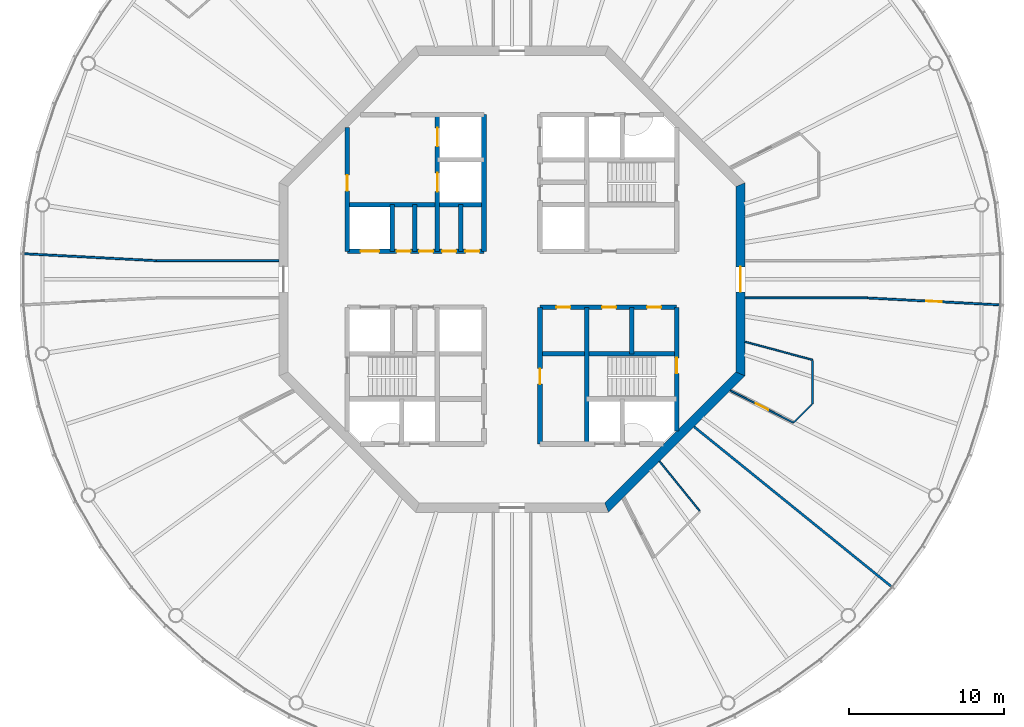
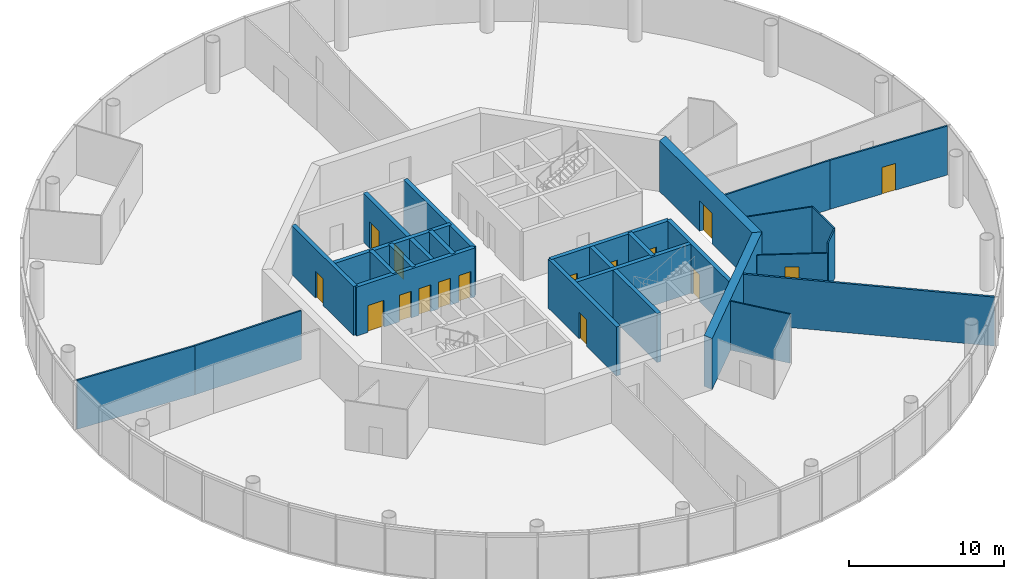
# One storey, part 4 of 13: 26 walls, 16 doors, 16 openings.
"""IFC4 building model written with IfcOpenShell, lengths in metres."""

from ifc_helpers import new_model, si_unit, direction, frame, frame_2d, origin, place, context, subcontext, project, spatial, polyline, rectangle, outline, extrude, material, layer, layer_set, type_object, element, fill, save


model = new_model("IFC4")

# Units and contexts
model_context = context("Model", 3, precision=1e-05, world=origin(), true_north=direction((0.0, 1.0)))
body_context = subcontext(model_context, "Body", "Model", "MODEL_VIEW")
ifc_project = project(units=[si_unit("LENGTHUNIT", "METRE"), si_unit("AREAUNIT", "SQUARE_METRE"), si_unit("VOLUMEUNIT", "CUBIC_METRE"), si_unit("PLANEANGLEUNIT", "RADIAN"), si_unit("MASSUNIT", "GRAM", prefix="KILO")], contexts=[model_context])

# Site, building, storey
site_placement = place(None, origin())
site = spatial("IfcSite", under=ifc_project, at=site_placement, CompositionType="ELEMENT")
building_placement = place(site_placement, origin())
building = spatial("IfcBuilding", under=site, at=building_placement, Name="Entoto Ring Tower", CompositionType="ELEMENT")
storey_placement = place(building_placement, frame((0.0, 0.0, 348.0)))
storey = spatial("IfcBuildingStorey", under=building, at=storey_placement, Name="L80", CompositionType="ELEMENT", Elevation=348.0)

# Wall, opening, door
ifc_material_1 = material(Name="Concrete C40/50", Category="concrete")
ifc_layer_1 = layer(ifc_material_1, 0.300048828125)
ifc_layer_set_1 = layer_set([ifc_layer_1], Name="Concrete C40/50")
wall_type_1 = type_object("IfcWallType", Name="Core enclosure wall 300 mm reinforced concrete", PredefinedType="SOLIDWALL", material=ifc_layer_set_1)
wall_1_placement = place(storey_placement, frame((100.60009765625, 70.2353515625, 0.0), z_axis=(0.0, 0.0, 1.0), x_axis=(0.0, 1.0, 0.0)))
wall_1 = element("IfcWall", 1, at=wall_1_placement, inside=storey, type_object=wall_type_1, Name="wall-L80-001", PredefinedType="SOLIDWALL", context=body_context, shape_type="SweptSolid", body=[
    extrude(rectangle(XDim=7.964599609375, YDim=0.300048828125, at=frame_2d((3.982421875, 0.0))), origin(), (0.0, 0.0, 1.0), 3.85009765625),
])
opening_1_placement = place(wall_1_placement, frame((3.714599609375, 0.0, 0.0)))
opening_1 = element("IfcOpeningElement", 2, at=opening_1_placement, cuts=wall_1, Name="Opening K-28", PredefinedType="OPENING", context=body_context, shape_type="SweptSolid", body=[
    extrude(rectangle(XDim=1.0, YDim=2.10009765625, at=frame_2d((0.5, 1.050048828125))), frame((0.0, 0.16015625, 0.0), z_axis=(0.0, -1.0, 0.0), x_axis=(1.0, 0.0, 0.0)), (0.0, 0.0, 1.0), 0.320068359375),
])
ifc_material_2 = material(Name="Steel door leaf, fire rated", Category="steel")
ifc_layer_2 = layer(ifc_material_2, 0.050048828125)
ifc_layer_set_2 = layer_set([ifc_layer_2], Name="Steel door leaf, fire rated")
door_type_1 = type_object("IfcDoorType", Name="Fire door FD60 1000 x 2100 single leaf", OperationType="NOTDEFINED", PredefinedType="DOOR", material=ifc_layer_set_2)
door_1_placement = place(opening_1_placement, origin())
door_1 = element("IfcDoor", 3, at=door_1_placement, inside=storey, type_object=door_type_1, Name="Door K-28", OperationType="SINGLE_SWING_RIGHT", OverallHeight=2.10009765625, OverallWidth=1.0, PredefinedType="DOOR", context=body_context, shape_type="SweptSolid", body=[
    extrude(rectangle(XDim=1.0, YDim=2.10009765625, at=frame_2d((0.5, 1.050048828125))), frame((0.0, 0.02490234375, 0.0), z_axis=(0.0, -1.0, 0.0), x_axis=(1.0, 0.0, 0.0)), (0.0, 0.0, 1.0), 0.050048828125),
])
fill(opening_1, door_1)

# Walls
wall_2_placement = place(storey_placement, frame((97.699951171875, 75.199951171875, 0.0), z_axis=(0.0, 0.0, 1.0), x_axis=(0.0, 1.0, 0.0)))
element("IfcWall", 4, at=wall_2_placement, inside=storey, type_object=wall_type_1, Name="wall-L80-003", PredefinedType="SOLIDWALL", context=body_context, shape_type="SweptSolid", body=[
    extrude(rectangle(XDim=3.0, YDim=0.300048828125, at=frame_2d((1.5, 0.0))), origin(), (0.0, 0.0, 1.0), 3.85009765625),
])
wall_3_placement = place(storey_placement, frame((94.800048828125, 69.39990234375, 0.0), z_axis=(0.0, 0.0, 1.0), x_axis=(0.0, 1.0, 0.0)))
element("IfcWall", 5, at=wall_3_placement, inside=storey, type_object=wall_type_1, Name="wall-L80-006", PredefinedType="SOLIDWALL", context=body_context, shape_type="SweptSolid", body=[
    extrude(rectangle(XDim=8.800048828125, YDim=0.300048828125, at=frame_2d((4.39990234375, 0.0))), origin(), (0.0, 0.0, 1.0), 3.85009765625),
])

# Wall, opening, door
wall_4_placement = place(storey_placement, frame((91.800048828125, 69.39990234375, 0.0), z_axis=(0.0, 0.0, 1.0), x_axis=(0.0, 1.0, 0.0)))
wall_4 = element("IfcWall", 6, at=wall_4_placement, inside=storey, type_object=wall_type_1, Name="wall-L80-008", PredefinedType="SOLIDWALL", context=body_context, shape_type="SweptSolid", body=[
    extrude(rectangle(XDim=8.800048828125, YDim=0.300048828125, at=frame_2d((4.39990234375, 0.0))), origin(), (0.0, 0.0, 1.0), 3.85009765625),
])
opening_2_placement = place(wall_4_placement, frame((3.85009765625, 0.0, 0.0)))
opening_2 = element("IfcOpeningElement", 7, at=opening_2_placement, cuts=wall_4, Name="Opening K-64", PredefinedType="OPENING", context=body_context, shape_type="SweptSolid", body=[
    extrude(rectangle(XDim=1.0, YDim=2.10009765625, at=frame_2d((0.5, 1.050048828125))), frame((0.0, 0.16015625, 0.0), z_axis=(0.0, -1.0, 0.0), x_axis=(1.0, 0.0, 0.0)), (0.0, 0.0, 1.0), 0.320068359375),
])
ifc_material_3 = material(Name="Steel door leaf, fire rated", Category="steel")
ifc_layer_3 = layer(ifc_material_3, 0.050048828125)
ifc_layer_set_3 = layer_set([ifc_layer_3], Name="Steel door leaf, fire rated")
door_type_2 = type_object("IfcDoorType", Name="Accessible door 1000 x 2100 single leaf", OperationType="NOTDEFINED", PredefinedType="DOOR", material=ifc_layer_set_3)
door_2_placement = place(opening_2_placement, frame((1.0, 0.0, 0.0), z_axis=(0.0, 0.0, 1.0), x_axis=(-1.0, 0.0, 0.0)))
door_2 = element("IfcDoor", 8, at=door_2_placement, inside=storey, type_object=door_type_2, Name="Door K-64", OperationType="SINGLE_SWING_LEFT", OverallHeight=2.10009765625, OverallWidth=1.0, PredefinedType="DOOR", context=body_context, shape_type="SweptSolid", body=[
    extrude(rectangle(XDim=1.0, YDim=2.10009765625, at=frame_2d((0.5, 1.050048828125))), frame((0.0, 0.02490234375, 0.0), z_axis=(0.0, -1.0, 0.0), x_axis=(1.0, 0.0, 0.0)), (0.0, 0.0, 1.0), 0.050048828125),
])
fill(opening_2, door_2)

# Walls
wall_5_placement = place(storey_placement, frame((88.199951171875, 81.800048828125, 0.0), z_axis=(0.0, 0.0, 1.0), x_axis=(0.0, 1.0, 0.0)))
element("IfcWall", 9, at=wall_5_placement, inside=storey, type_object=wall_type_1, Name="wall-L80-011", PredefinedType="SOLIDWALL", context=body_context, shape_type="SweptSolid", body=[
    extrude(rectangle(XDim=8.800048828125, YDim=0.300048828125, at=frame_2d((4.39990234375, 0.0))), origin(), (0.0, 0.0, 1.0), 3.85009765625),
])
wall_6_placement = place(storey_placement, frame((86.699951171875, 81.800048828125, 0.0), z_axis=(0.0, 0.0, 1.0), x_axis=(0.0, 1.0, 0.0)))
element("IfcWall", 10, at=wall_6_placement, inside=storey, type_object=wall_type_1, Name="wall-L80-012", PredefinedType="SOLIDWALL", context=body_context, shape_type="SweptSolid", body=[
    extrude(rectangle(XDim=3.0, YDim=0.300048828125, at=frame_2d((1.5, 0.0))), origin(), (0.0, 0.0, 1.0), 3.85009765625),
])

# Wall, openings, doors
wall_7_placement = place(storey_placement, frame((85.199951171875, 81.800048828125, 0.0), z_axis=(0.0, 0.0, 1.0), x_axis=(0.0, 1.0, 0.0)))
wall_7 = element("IfcWall", 11, at=wall_7_placement, inside=storey, type_object=wall_type_1, Name="wall-L80-014", PredefinedType="SOLIDWALL", context=body_context, shape_type="SweptSolid", body=[
    extrude(rectangle(XDim=8.800048828125, YDim=0.300048828125, at=frame_2d((4.39990234375, 0.0))), origin(), (0.0, 0.0, 1.0), 3.85009765625),
])
opening_3_placement = place(wall_7_placement, frame((3.85009765625, 0.0, 0.0)))
opening_3 = element("IfcOpeningElement", 12, at=opening_3_placement, cuts=wall_7, Name="Opening LD", PredefinedType="OPENING", context=body_context, shape_type="SweptSolid", body=[
    extrude(rectangle(XDim=1.199951171875, YDim=2.10009765625, at=frame_2d((0.60009765625, 1.050048828125))), frame((0.0, 0.16015625, 0.0), z_axis=(0.0, -1.0, 0.0), x_axis=(1.0, 0.0, 0.0)), (0.0, 0.0, 1.0), 0.320068359375),
])
opening_4_placement = place(wall_7_placement, frame((6.75, 0.0, 0.0)))
opening_4 = element("IfcOpeningElement", 13, at=opening_4_placement, cuts=wall_7, Name="Opening LD", PredefinedType="OPENING", context=body_context, shape_type="SweptSolid", body=[
    extrude(rectangle(XDim=1.199951171875, YDim=2.10009765625, at=frame_2d((0.60009765625, 1.050048828125))), frame((0.0, 0.16015625, 0.0), z_axis=(0.0, -1.0, 0.0), x_axis=(1.0, 0.0, 0.0)), (0.0, 0.0, 1.0), 0.320068359375),
])
ifc_material_4 = material(Name="Steel and glass door leaf", Category="steel")
ifc_layer_4 = layer(ifc_material_4, 0.050048828125)
ifc_layer_set_4 = layer_set([ifc_layer_4], Name="Steel and glass door leaf")
door_type_3 = type_object("IfcDoorType", Name="Landing door 1200 x 2100 sliding", OperationType="DOUBLE_DOOR_SLIDING", PredefinedType="DOOR", material=ifc_layer_set_4)
door_3_placement = place(opening_3_placement, origin())
door_3 = element("IfcDoor", 14, at=door_3_placement, inside=storey, type_object=door_type_3, Name="Landing door FF1", OperationType="SLIDING_TO_RIGHT", OverallHeight=2.10009765625, OverallWidth=1.199951171875, PredefinedType="DOOR", context=body_context, shape_type="SweptSolid", body=[
    extrude(rectangle(XDim=1.199951171875, YDim=2.10009765625, at=frame_2d((0.60009765625, 1.050048828125))), frame((0.0, 0.02490234375, 0.0), z_axis=(0.0, -1.0, 0.0), x_axis=(1.0, 0.0, 0.0)), (0.0, 0.0, 1.0), 0.050048828125),
])
fill(opening_3, door_3)
door_4_placement = place(opening_4_placement, origin())
door_4 = element("IfcDoor", 15, at=door_4_placement, inside=storey, type_object=door_type_3, Name="Landing door FF2", OperationType="SLIDING_TO_RIGHT", OverallHeight=2.10009765625, OverallWidth=1.199951171875, PredefinedType="DOOR", context=body_context, shape_type="SweptSolid", body=[
    extrude(rectangle(XDim=1.199951171875, YDim=2.10009765625, at=frame_2d((0.60009765625, 1.050048828125))), frame((0.0, 0.02490234375, 0.0), z_axis=(0.0, -1.0, 0.0), x_axis=(1.0, 0.0, 0.0)), (0.0, 0.0, 1.0), 0.050048828125),
])
fill(opening_4, door_4)

# Walls
for number, where, z_axis, x_axis, name in (
    (16, (83.75, 81.800048828125, 0.0), (0.0, 0.0, 1.0), (0.0, 1.0, 0.0), "wall-L80-016"),
    (17, (82.300048828125, 81.800048828125, 0.0), (0.0, 0.0, 1.0), (0.0, 1.0, 0.0), "wall-L80-019"),
):
    element("IfcWall", number, at=place(storey_placement, frame(where, z_axis=z_axis, x_axis=x_axis)), inside=storey, type_object=wall_type_1, Name=name, PredefinedType="SOLIDWALL", context=body_context, shape_type="SweptSolid", body=[
        extrude(rectangle(XDim=3.0, YDim=0.300048828125, at=frame_2d((1.5, 0.0))), origin(), (0.0, 0.0, 1.0), 3.85009765625),
    ])

# Wall, opening, door
wall_8_placement = place(storey_placement, frame((79.39990234375, 81.800048828125, 0.0), z_axis=(0.0, 0.0, 1.0), x_axis=(0.0, 1.0, 0.0)))
wall_8 = element("IfcWall", 18, at=wall_8_placement, inside=storey, type_object=wall_type_1, Name="wall-L80-021", PredefinedType="SOLIDWALL", context=body_context, shape_type="SweptSolid", body=[
    extrude(rectangle(XDim=7.964599609375, YDim=0.300048828125, at=frame_2d((3.982421875, 0.0))), origin(), (0.0, 0.0, 1.0), 3.85009765625),
])
opening_5_placement = place(wall_8_placement, frame((3.89990234375, 0.0, 0.0)))
opening_5 = element("IfcOpeningElement", 19, at=opening_5_placement, cuts=wall_8, Name="Opening K-86", PredefinedType="OPENING", context=body_context, shape_type="SweptSolid", body=[
    extrude(rectangle(XDim=1.0, YDim=2.10009765625, at=frame_2d((0.5, 1.050048828125))), frame((0.0, 0.16015625, 0.0), z_axis=(0.0, -1.0, 0.0), x_axis=(1.0, 0.0, 0.0)), (0.0, 0.0, 1.0), 0.320068359375),
])
door_5_placement = place(opening_5_placement, frame((1.0, 0.0, 0.0), z_axis=(0.0, 0.0, 1.0), x_axis=(-1.0, 0.0, 0.0)))
door_5 = element("IfcDoor", 20, at=door_5_placement, inside=storey, type_object=door_type_1, Name="Door K-86", OperationType="SINGLE_SWING_RIGHT", OverallHeight=2.10009765625, OverallWidth=1.0, PredefinedType="DOOR", context=body_context, shape_type="SweptSolid", body=[
    extrude(rectangle(XDim=1.0, YDim=2.10009765625, at=frame_2d((0.5, 1.050048828125))), frame((0.0, 0.02490234375, 0.0), z_axis=(0.0, -1.0, 0.0), x_axis=(1.0, 0.0, 0.0)), (0.0, 0.0, 1.0), 0.050048828125),
])
fill(opening_5, door_5)

# Wall
wall_9_placement = place(storey_placement, frame((91.800048828125, 75.199951171875, 0.0), z_axis=(0.0, 0.0, 1.0), x_axis=(1.0, 0.0, 0.0)))
element("IfcWall", 21, at=wall_9_placement, inside=storey, type_object=wall_type_1, Name="wall-L80-027", PredefinedType="SOLIDWALL", context=body_context, shape_type="SweptSolid", body=[
    extrude(rectangle(XDim=8.800048828125, YDim=0.300048828125, at=frame_2d((4.39990234375, 0.0))), origin(), (0.0, 0.0, 1.0), 3.85009765625),
])

# Wall, openings, doors
wall_10_placement = place(storey_placement, frame((91.800048828125, 78.199951171875, 0.0), z_axis=(0.0, 0.0, 1.0), x_axis=(1.0, 0.0, 0.0)))
wall_10 = element("IfcWall", 22, at=wall_10_placement, inside=storey, type_object=wall_type_1, Name="wall-L80-029", PredefinedType="SOLIDWALL", context=body_context, shape_type="SweptSolid", body=[
    extrude(rectangle(XDim=8.800048828125, YDim=0.300048828125, at=frame_2d((4.39990234375, 0.0))), origin(), (0.0, 0.0, 1.0), 3.85009765625),
])
opening_6_placement = place(wall_10_placement, frame((4.0, 0.0, 0.0)))
opening_6 = element("IfcOpeningElement", 23, at=opening_6_placement, cuts=wall_10, Name="Opening K-14", PredefinedType="OPENING", context=body_context, shape_type="SweptSolid", body=[
    extrude(rectangle(XDim=0.89990234375, YDim=2.10009765625, at=frame_2d((0.449951171875, 1.050048828125))), frame((0.0, 0.16015625, 0.0), z_axis=(0.0, -1.0, 0.0), x_axis=(1.0, 0.0, 0.0)), (0.0, 0.0, 1.0), 0.320068359375),
])
opening_7_placement = place(wall_10_placement, frame((6.89990234375, 0.0, 0.0)))
opening_7 = element("IfcOpeningElement", 24, at=opening_7_placement, cuts=wall_10, Name="Opening K-15", PredefinedType="OPENING", context=body_context, shape_type="SweptSolid", body=[
    extrude(rectangle(XDim=0.89990234375, YDim=2.10009765625, at=frame_2d((0.449951171875, 1.050048828125))), frame((0.0, 0.16015625, 0.0), z_axis=(0.0, -1.0, 0.0), x_axis=(1.0, 0.0, 0.0)), (0.0, 0.0, 1.0), 0.320068359375),
])
opening_8_placement = place(wall_10_placement, frame((1.050048828125, 0.0, 0.0)))
opening_8 = element("IfcOpeningElement", 25, at=opening_8_placement, cuts=wall_10, Name="Opening K-25", PredefinedType="OPENING", context=body_context, shape_type="SweptSolid", body=[
    extrude(rectangle(XDim=0.89990234375, YDim=2.10009765625, at=frame_2d((0.449951171875, 1.050048828125))), frame((0.0, 0.16015625, 0.0), z_axis=(0.0, -1.0, 0.0), x_axis=(1.0, 0.0, 0.0)), (0.0, 0.0, 1.0), 0.320068359375),
])
ifc_material_5 = material(Name="Steel door leaf, fire rated", Category="steel")
ifc_layer_5 = layer(ifc_material_5, 0.050048828125)
ifc_layer_set_5 = layer_set([ifc_layer_5], Name="Steel door leaf, fire rated")
door_type_4 = type_object("IfcDoorType", Name="Core door 900 x 2100 single leaf", OperationType="NOTDEFINED", PredefinedType="DOOR", material=ifc_layer_set_5)
door_6_placement = place(opening_6_placement, frame((0.89990234375, 0.0, 0.0), z_axis=(0.0, 0.0, 1.0), x_axis=(-1.0, 0.0, 0.0)))
door_6 = element("IfcDoor", 26, at=door_6_placement, inside=storey, type_object=door_type_4, Name="Door K-14", OperationType="SINGLE_SWING_RIGHT", OverallHeight=2.10009765625, OverallWidth=0.89990234375, PredefinedType="DOOR", context=body_context, shape_type="SweptSolid", body=[
    extrude(rectangle(XDim=0.89990234375, YDim=2.10009765625, at=frame_2d((0.449951171875, 1.050048828125))), frame((0.0, 0.02490234375, 0.0), z_axis=(0.0, -1.0, 0.0), x_axis=(1.0, 0.0, 0.0)), (0.0, 0.0, 1.0), 0.050048828125),
])
fill(opening_6, door_6)
door_7_placement = place(opening_7_placement, frame((0.89990234375, 0.0, 0.0), z_axis=(0.0, 0.0, 1.0), x_axis=(-1.0, 0.0, 0.0)))
door_7 = element("IfcDoor", 27, at=door_7_placement, inside=storey, type_object=door_type_4, Name="Door K-15", OperationType="SINGLE_SWING_LEFT", OverallHeight=2.10009765625, OverallWidth=0.89990234375, PredefinedType="DOOR", context=body_context, shape_type="SweptSolid", body=[
    extrude(rectangle(XDim=0.89990234375, YDim=2.10009765625, at=frame_2d((0.449951171875, 1.050048828125))), frame((0.0, 0.02490234375, 0.0), z_axis=(0.0, -1.0, 0.0), x_axis=(1.0, 0.0, 0.0)), (0.0, 0.0, 1.0), 0.050048828125),
])
fill(opening_7, door_7)
door_8_placement = place(opening_8_placement, frame((0.89990234375, 0.0, 0.0), z_axis=(0.0, 0.0, 1.0), x_axis=(-1.0, 0.0, 0.0)))
door_8 = element("IfcDoor", 28, at=door_8_placement, inside=storey, type_object=door_type_4, Name="Door K-25", OperationType="SINGLE_SWING_RIGHT", OverallHeight=2.10009765625, OverallWidth=0.89990234375, PredefinedType="DOOR", context=body_context, shape_type="SweptSolid", body=[
    extrude(rectangle(XDim=0.89990234375, YDim=2.10009765625, at=frame_2d((0.449951171875, 1.050048828125))), frame((0.0, 0.02490234375, 0.0), z_axis=(0.0, -1.0, 0.0), x_axis=(1.0, 0.0, 0.0)), (0.0, 0.0, 1.0), 0.050048828125),
])
fill(opening_8, door_8)

wall_11_placement = place(storey_placement, frame((79.39990234375, 81.800048828125, 0.0), z_axis=(0.0, 0.0, 1.0), x_axis=(1.0, 0.0, 0.0)))
wall_11 = element("IfcWall", 29, at=wall_11_placement, inside=storey, type_object=wall_type_1, Name="wall-L80-030", PredefinedType="SOLIDWALL", context=body_context, shape_type="SweptSolid", body=[
    extrude(rectangle(XDim=8.800048828125, YDim=0.300048828125, at=frame_2d((4.39990234375, 0.0))), origin(), (0.0, 0.0, 1.0), 3.85009765625),
])
opening_9_placement = place(wall_11_placement, frame((0.85009765625, 0.0, 0.0)))
opening_9 = element("IfcOpeningElement", 30, at=opening_9_placement, cuts=wall_11, Name="Opening LD", PredefinedType="OPENING", context=body_context, shape_type="SweptSolid", body=[
    extrude(rectangle(XDim=1.199951171875, YDim=2.10009765625, at=frame_2d((0.60009765625, 1.050048828125))), frame((0.0, 0.16015625, 0.0), z_axis=(0.0, -1.0, 0.0), x_axis=(1.0, 0.0, 0.0)), (0.0, 0.0, 1.0), 0.320068359375),
])
opening_10_placement = place(wall_11_placement, frame((3.175048828125, 0.0, 0.0)))
opening_10 = element("IfcOpeningElement", 31, at=opening_10_placement, cuts=wall_11, Name="Opening K-12", PredefinedType="OPENING", context=body_context, shape_type="SweptSolid", body=[
    extrude(rectangle(XDim=0.89990234375, YDim=2.10009765625, at=frame_2d((0.449951171875, 1.050048828125))), frame((0.0, 0.16015625, 0.0), z_axis=(0.0, -1.0, 0.0), x_axis=(1.0, 0.0, 0.0)), (0.0, 0.0, 1.0), 0.320068359375),
])
opening_11_placement = place(wall_11_placement, frame((4.625, 0.0, 0.0)))
opening_11 = element("IfcOpeningElement", 32, at=opening_11_placement, cuts=wall_11, Name="Opening K-46", PredefinedType="OPENING", context=body_context, shape_type="SweptSolid", body=[
    extrude(rectangle(XDim=0.89990234375, YDim=2.10009765625, at=frame_2d((0.449951171875, 1.050048828125))), frame((0.0, 0.16015625, 0.0), z_axis=(0.0, -1.0, 0.0), x_axis=(1.0, 0.0, 0.0)), (0.0, 0.0, 1.0), 0.320068359375),
])
opening_12_placement = place(wall_11_placement, frame((6.10009765625, 0.0, 0.0)))
opening_12 = element("IfcOpeningElement", 33, at=opening_12_placement, cuts=wall_11, Name="Opening K-71", PredefinedType="OPENING", context=body_context, shape_type="SweptSolid", body=[
    extrude(rectangle(XDim=0.89990234375, YDim=2.10009765625, at=frame_2d((0.449951171875, 1.050048828125))), frame((0.0, 0.16015625, 0.0), z_axis=(0.0, -1.0, 0.0), x_axis=(1.0, 0.0, 0.0)), (0.0, 0.0, 1.0), 0.320068359375),
])
opening_13_placement = place(wall_11_placement, frame((7.60009765625, 0.0, 0.0)))
opening_13 = element("IfcOpeningElement", 34, at=opening_13_placement, cuts=wall_11, Name="Opening K-24", PredefinedType="OPENING", context=body_context, shape_type="SweptSolid", body=[
    extrude(rectangle(XDim=0.89990234375, YDim=2.10009765625, at=frame_2d((0.449951171875, 1.050048828125))), frame((0.0, 0.16015625, 0.0), z_axis=(0.0, -1.0, 0.0), x_axis=(1.0, 0.0, 0.0)), (0.0, 0.0, 1.0), 0.320068359375),
])
door_9_placement = place(opening_10_placement, origin())
door_9 = element("IfcDoor", 35, at=door_9_placement, inside=storey, type_object=door_type_4, Name="Door K-12", OperationType="SINGLE_SWING_RIGHT", OverallHeight=2.10009765625, OverallWidth=0.89990234375, PredefinedType="DOOR", context=body_context, shape_type="SweptSolid", body=[
    extrude(rectangle(XDim=0.89990234375, YDim=2.10009765625, at=frame_2d((0.449951171875, 1.050048828125))), frame((0.0, 0.02490234375, 0.0), z_axis=(0.0, -1.0, 0.0), x_axis=(1.0, 0.0, 0.0)), (0.0, 0.0, 1.0), 0.050048828125),
])
fill(opening_10, door_9)
door_10_placement = place(opening_11_placement, origin())
door_10 = element("IfcDoor", 36, at=door_10_placement, inside=storey, type_object=door_type_4, Name="Door K-46", OperationType="SINGLE_SWING_RIGHT", OverallHeight=2.10009765625, OverallWidth=0.89990234375, PredefinedType="DOOR", context=body_context, shape_type="SweptSolid", body=[
    extrude(rectangle(XDim=0.89990234375, YDim=2.10009765625, at=frame_2d((0.449951171875, 1.050048828125))), frame((0.0, 0.02490234375, 0.0), z_axis=(0.0, -1.0, 0.0), x_axis=(1.0, 0.0, 0.0)), (0.0, 0.0, 1.0), 0.050048828125),
])
fill(opening_11, door_10)
door_11_placement = place(opening_12_placement, origin())
door_11 = element("IfcDoor", 37, at=door_11_placement, inside=storey, type_object=door_type_4, Name="Door K-71", OperationType="SINGLE_SWING_LEFT", OverallHeight=2.10009765625, OverallWidth=0.89990234375, PredefinedType="DOOR", context=body_context, shape_type="SweptSolid", body=[
    extrude(rectangle(XDim=0.89990234375, YDim=2.10009765625, at=frame_2d((0.449951171875, 1.050048828125))), frame((0.0, 0.02490234375, 0.0), z_axis=(0.0, -1.0, 0.0), x_axis=(1.0, 0.0, 0.0)), (0.0, 0.0, 1.0), 0.050048828125),
])
fill(opening_12, door_11)
door_12_placement = place(opening_13_placement, origin())
door_12 = element("IfcDoor", 38, at=door_12_placement, inside=storey, type_object=door_type_4, Name="Door K-24", OperationType="SINGLE_SWING_LEFT", OverallHeight=2.10009765625, OverallWidth=0.89990234375, PredefinedType="DOOR", context=body_context, shape_type="SweptSolid", body=[
    extrude(rectangle(XDim=0.89990234375, YDim=2.10009765625, at=frame_2d((0.449951171875, 1.050048828125))), frame((0.0, 0.02490234375, 0.0), z_axis=(0.0, -1.0, 0.0), x_axis=(1.0, 0.0, 0.0)), (0.0, 0.0, 1.0), 0.050048828125),
])
fill(opening_13, door_12)
door_13_placement = place(opening_9_placement, origin())
door_13 = element("IfcDoor", 39, at=door_13_placement, inside=storey, type_object=door_type_3, Name="Landing door SH1", OperationType="SLIDING_TO_RIGHT", OverallHeight=2.10009765625, OverallWidth=1.199951171875, PredefinedType="DOOR", context=body_context, shape_type="SweptSolid", body=[
    extrude(rectangle(XDim=1.199951171875, YDim=2.10009765625, at=frame_2d((0.60009765625, 1.050048828125))), frame((0.0, 0.02490234375, 0.0), z_axis=(0.0, -1.0, 0.0), x_axis=(1.0, 0.0, 0.0)), (0.0, 0.0, 1.0), 0.050048828125),
])
fill(opening_9, door_13)

# Wall
wall_12_placement = place(storey_placement, frame((79.39990234375, 84.800048828125, 0.0), z_axis=(0.0, 0.0, 1.0), x_axis=(1.0, 0.0, 0.0)))
element("IfcWall", 40, at=wall_12_placement, inside=storey, type_object=wall_type_1, Name="wall-L80-032", PredefinedType="SOLIDWALL", context=body_context, shape_type="SweptSolid", body=[
    extrude(rectangle(XDim=8.800048828125, YDim=0.300048828125, at=frame_2d((4.39990234375, 0.0))), origin(), (0.0, 0.0, 1.0), 3.85009765625),
])

# Wall, opening, door
ifc_material_6 = material(Name="Concrete C40/50", Category="concrete")
ifc_layer_6 = layer(ifc_material_6, 0.60009765625)
ifc_layer_set_6 = layer_set([ifc_layer_6], Name="Concrete C40/50")
wall_type_2 = type_object("IfcWallType", Name="Core shear wall 600 mm reinforced concrete C40/50", PredefinedType="SHEAR", material=ifc_layer_set_6)
wall_13_placement = place(storey_placement, frame((104.699951171875, 73.9111328125, 0.0), z_axis=(0.0, 0.0, 1.0), x_axis=(0.0, 1.0, 0.0)))
wall_13 = element("IfcWall", 41, at=wall_13_placement, inside=storey, type_object=wall_type_2, Name="wall-L80-core-0", PredefinedType="SHEAR", context=body_context, shape_type="SweptSolid", body=[
    extrude(outline(polyline([(-0.124267578125, -0.300048828125), (12.302001953125, -0.300048828125), (12.053466796875, 0.300048828125), (0.124267578125, 0.300048828125), (-0.124267578125, -0.300048828125)])), origin(), (0.0, 0.0, 1.0), 4.0),
])
opening_14_placement = place(wall_13_placement, frame((5.288818359375, 0.0, 0.0)))
opening_14 = element("IfcOpeningElement", 42, at=opening_14_placement, cuts=wall_13, Name="Opening K-01", PredefinedType="OPENING", context=body_context, shape_type="SweptSolid", body=[
    extrude(rectangle(XDim=1.60009765625, YDim=2.39990234375, at=frame_2d((0.800048828125, 1.199951171875))), frame((0.0, 0.31005859375, 0.0), z_axis=(0.0, -1.0, 0.0), x_axis=(1.0, 0.0, 0.0)), (0.0, 0.0, 1.0), 0.6201171875),
])
ifc_material_7 = material(Name="Steel door leaf, fire rated", Category="steel")
ifc_layer_7 = layer(ifc_material_7, 0.050048828125)
ifc_layer_set_7 = layer_set([ifc_layer_7], Name="Steel door leaf, fire rated")
door_type_5 = type_object("IfcDoorType", Name="Entrance door FD60 1600 x 2400 double leaf", OperationType="DOUBLE_DOOR_SINGLE_SWING", PredefinedType="DOOR", material=ifc_layer_set_7)
door_14_placement = place(opening_14_placement, origin())
door_14 = element("IfcDoor", 43, at=door_14_placement, inside=storey, type_object=door_type_5, Name="Entrance door K-01", OperationType="DOUBLE_DOOR_SINGLE_SWING", OverallHeight=2.39990234375, OverallWidth=1.60009765625, PredefinedType="DOOR", context=body_context, shape_type="SweptSolid", body=[
    extrude(rectangle(XDim=1.60009765625, YDim=2.39990234375, at=frame_2d((0.800048828125, 1.199951171875))), frame((0.0, 0.02490234375, 0.0), z_axis=(0.0, -1.0, 0.0), x_axis=(1.0, 0.0, 0.0)), (0.0, 0.0, 1.0), 0.050048828125),
])
fill(opening_14, door_14)

# Walls
wall_14_placement = place(storey_placement, frame((96.0888671875, 65.300048828125, 0.0), z_axis=(0.0, 0.0, 1.0), x_axis=(0.707106781187, 0.707106781187, 0.0)))
element("IfcWall", 44, at=wall_14_placement, inside=storey, type_object=wall_type_2, Name="wall-L80-core-7", PredefinedType="SHEAR", context=body_context, shape_type="SweptSolid", body=[
    extrude(outline(polyline([(-0.124267578125, -0.300048828125), (12.30224609375, -0.300048828125), (12.0537109375, 0.300048828125), (0.124267578125, 0.300048828125), (-0.124267578125, -0.300048828125)])), origin(), (0.0, 0.0, 1.0), 4.0),
])
ifc_material_8 = material(Name="Fire-resisting plasterboard on steel studs", Category="steel")
ifc_layer_8 = layer(ifc_material_8, 0.125)
ifc_layer_set_8 = layer_set([ifc_layer_8], Name="Fire-resisting plasterboard on steel studs")
wall_type_3 = type_object("IfcWallType", Name="Corridor wall 125 mm one-hour plasterboard on steel studs", PredefinedType="PARTITIONING", material=ifc_layer_set_8)
wall_15_placement = place(storey_placement, frame((67.1025390625, 81.199951171875, 0.0), z_axis=(0.0, 0.0, 1.0), x_axis=(-0.998628821692, 0.05234956051, 0.0)))
element("IfcWall", 45, at=wall_15_placement, inside=storey, type_object=wall_type_3, Name="partition-L80-002", PredefinedType="PARTITIONING", context=body_context, shape_type="SweptSolid", body=[
    extrude(rectangle(XDim=8.51123046875, YDim=0.125, at=frame_2d((4.255615234375, 0.0))), origin(), (0.0, 0.0, 1.0), 3.85009765625),
])

# Wall, opening, door
wall_16_placement = place(storey_placement, frame((121.39697265625, 78.3544921875, 0.0), z_axis=(0.0, 0.0, 1.0), x_axis=(-0.998628821692, 0.05234956051, 0.0)))
wall_16 = element("IfcWall", 46, at=wall_16_placement, inside=storey, type_object=wall_type_3, Name="partition-L80-008", PredefinedType="PARTITIONING", context=body_context, shape_type="SweptSolid", body=[
    extrude(rectangle(XDim=8.51123046875, YDim=0.125, at=frame_2d((4.255615234375, 0.0))), origin(), (0.0, 0.0, 1.0), 3.85009765625),
])
opening_15_placement = place(wall_16_placement, frame((3.755615234375, 0.0, 0.0)))
opening_15 = element("IfcOpeningElement", 47, at=opening_15_placement, cuts=wall_16, Name="Opening A35-D10", PredefinedType="OPENING", context=body_context, shape_type="SweptSolid", body=[
    extrude(rectangle(XDim=1.0, YDim=2.10009765625, at=frame_2d((0.5, 1.050048828125))), frame((0.0, 0.072509765625, 0.0), z_axis=(0.0, -1.0, 0.0), x_axis=(1.0, 0.0, 0.0)), (0.0, 0.0, 1.0), 0.14501953125),
])
ifc_material_9 = material(Name="Fire-resisting timber door set", Category="wood")
door_type_6 = type_object("IfcDoorType", Name="Door 1000 x 2100 single leaf FD30S fire door", OperationType="NOTDEFINED", PredefinedType="DOOR", material=ifc_material_9)
door_15_placement = place(opening_15_placement, origin())
door_15 = element("IfcDoor", 48, at=door_15_placement, inside=storey, type_object=door_type_6, Name="Door A35-D10", OperationType="SINGLE_SWING_LEFT", OverallHeight=2.10009765625, OverallWidth=1.0, PredefinedType="DOOR", context=body_context, shape_type="SweptSolid", body=[
    extrude(rectangle(XDim=1.0, YDim=2.10009765625, at=frame_2d((0.5, 1.050048828125))), frame((0.0, 0.02490234375, 0.0), z_axis=(0.0, -1.0, 0.0), x_axis=(1.0, 0.0, 0.0)), (0.0, 0.0, 1.0), 0.050048828125),
])
fill(opening_15, door_15)

# Walls
for number, where, z_axis, x_axis, name in (
    (49, (67.10595703125, 81.199951171875, 0.0), (0.0, 0.0, 1.0), (1.0, 0.0, 0.0), "partition-L80-010"),
    (50, (105.0, 78.800048828125, 0.0), (0.0, 0.0, 1.0), (1.0, 0.0, 0.0), "partition-L80-015"),
):
    element("IfcWall", number, at=place(storey_placement, frame(where, z_axis=z_axis, x_axis=x_axis)), inside=storey, type_object=wall_type_3, Name=name, PredefinedType="PARTITIONING", context=body_context, shape_type="SweptSolid", body=[
        extrude(rectangle(XDim=7.89404296875, YDim=0.125, at=frame_2d((3.947021484375, 0.0))), origin(), (0.0, 0.0, 1.0), 3.85009765625),
    ])
ifc_material_10 = material(Name="Plasterboard on steel studs", Category="steel")
ifc_layer_9 = layer(ifc_material_10, 0.10009765625)
ifc_layer_set_9 = layer_set([ifc_layer_9], Name="Plasterboard on steel studs")
wall_type_4 = type_object("IfcWallType", Name="Partition 100 mm plasterboard on steel studs", PredefinedType="PARTITIONING", material=ifc_layer_set_9)
wall_17_placement = place(storey_placement, frame((109.340087890625, 74.81787109375, 0.0), z_axis=(0.0, 0.0, 1.0), x_axis=(-0.96593034681, 0.258802173699, 0.0)))
element("IfcWall", 51, at=wall_17_placement, inside=storey, type_object=wall_type_4, Name="partition-L80-025", PredefinedType="PARTITIONING", context=body_context, shape_type="SweptSolid", body=[
    extrude(rectangle(XDim=4.4931640625, YDim=0.10009765625, at=frame_2d((2.24658203125, 0.0))), origin(), (0.0, 0.0, 1.0), 3.85009765625),
])
wall_18_placement = place(storey_placement, frame((102.067626953125, 65.09765625, 0.0), z_axis=(0.0, 0.0, 1.0), x_axis=(-0.629332056671, 0.777136514678, 0.0)))
element("IfcWall", 52, at=wall_18_placement, inside=storey, type_object=wall_type_4, Name="partition-L80-028", PredefinedType="PARTITIONING", context=body_context, shape_type="SweptSolid", body=[
    extrude(rectangle(XDim=4.093017578125, YDim=0.10009765625, at=frame_2d((2.04638671875, 0.0))), origin(), (0.0, 0.0, 1.0), 3.85009765625),
])
wall_19_placement = place(storey_placement, frame((109.340087890625, 71.989013671875, 0.0), z_axis=(0.0, 0.0, 1.0), x_axis=(0.0, 1.0, 0.0)))
element("IfcWall", 53, at=wall_19_placement, inside=storey, type_object=wall_type_4, Name="partition-L80-033", PredefinedType="PARTITIONING", context=body_context, shape_type="SweptSolid", body=[
    extrude(rectangle(XDim=2.78076171875, YDim=0.10009765625, at=frame_2d((1.390380859375, 0.0))), origin(), (0.0, 0.0, 1.0), 3.85009765625),
])
wall_20_placement = place(storey_placement, frame((108.15234375, 70.801513671875, 0.0), z_axis=(0.0, 0.0, 1.0), x_axis=(0.707106781187, 0.707106781187, 0.0)))
element("IfcWall", 54, at=wall_20_placement, inside=storey, type_object=wall_type_4, Name="partition-L80-035", PredefinedType="PARTITIONING", context=body_context, shape_type="SweptSolid", body=[
    extrude(rectangle(XDim=1.64453125, YDim=0.10009765625, at=frame_2d((0.822265625, 0.0))), origin(), (0.0, 0.0, 1.0), 3.85009765625),
])

# Wall, opening, door
ifc_material_11 = material(Name="Plasterboard on steel studs", Category="steel")
ifc_layer_10 = layer(ifc_material_11, 0.10009765625)
ifc_layer_set_10 = layer_set([ifc_layer_10], Name="Plasterboard on steel studs")
wall_type_5 = type_object("IfcWallType", Name="Partition 100 mm plasterboard on steel studs, 3097 mm high", PredefinedType="PARTITIONING", material=ifc_layer_set_10)
wall_21_placement = place(storey_placement, frame((108.118896484375, 70.76806640625, 0.0), z_axis=(0.0, 0.0, 1.0), x_axis=(-0.891020306158, 0.453963450087, 0.0)))
wall_21 = element("IfcWall", 55, at=wall_21_placement, inside=storey, type_object=wall_type_5, Name="partition-L80-024", PredefinedType="PARTITIONING", context=body_context, shape_type="SweptSolid", body=[
    extrude(rectangle(XDim=4.563232421875, YDim=0.10009765625, at=frame_2d((2.28173828125, 0.0))), origin(), (0.0, 0.0, 1.0), 3.096923828125),
])
opening_16_placement = place(wall_21_placement, frame((1.831787109375, 0.0, 0.0)))
opening_16 = element("IfcOpeningElement", 56, at=opening_16_placement, cuts=wall_21, Name="Opening A35-D11", PredefinedType="OPENING", context=body_context, shape_type="SweptSolid", body=[
    extrude(rectangle(XDim=0.89990234375, YDim=2.10009765625, at=frame_2d((0.449951171875, 1.050048828125))), frame((0.0, 0.06005859375, 0.0), z_axis=(0.0, -1.0, 0.0), x_axis=(1.0, 0.0, 0.0)), (0.0, 0.0, 1.0), 0.1201171875),
])
ifc_material_12 = material(Name="Veneered timber door leaf in timber frame", Category="wood")
door_type_7 = type_object("IfcDoorType", Name="Door 900 x 2100 single leaf timber veneer", OperationType="NOTDEFINED", PredefinedType="DOOR", material=ifc_material_12)
door_16_placement = place(opening_16_placement, frame((0.89990234375, 0.0, 0.0), z_axis=(0.0, 0.0, 1.0), x_axis=(-1.0, 0.0, 0.0)))
door_16 = element("IfcDoor", 57, at=door_16_placement, inside=storey, type_object=door_type_7, Name="Door A35-D11", OperationType="SINGLE_SWING_LEFT", OverallHeight=2.10009765625, OverallWidth=0.89990234375, PredefinedType="DOOR", context=body_context, shape_type="SweptSolid", body=[
    extrude(rectangle(XDim=0.89990234375, YDim=2.10009765625, at=frame_2d((0.449951171875, 1.050048828125))), frame((0.0, 0.02490234375, 0.0), z_axis=(0.0, -1.0, 0.0), x_axis=(1.0, 0.0, 0.0)), (0.0, 0.0, 1.0), 0.050048828125),
])
fill(opening_16, door_16)

# Wall
ifc_material_13 = material(Name="Fire-resisting acoustic plasterboard on steel studs", Category="steel")
ifc_layer_11 = layer(ifc_material_13, 0.14990234375)
ifc_layer_set_11 = layer_set([ifc_layer_11], Name="Fire-resisting acoustic plasterboard on steel studs")
wall_type_6 = type_object("IfcWallType", Name="Party wall 150 mm one-hour acoustic plasterboard on steel studs", PredefinedType="PARTITIONING", material=ifc_layer_set_11)
wall_22_placement = place(storey_placement, frame((114.43359375, 60.214111328125, 0.0), z_axis=(0.0, 0.0, 1.0), x_axis=(-0.777143368827, 0.629323592667, 0.0)))
element("IfcWall", 58, at=wall_22_placement, inside=storey, type_object=wall_type_6, Name="partition-L80-017", PredefinedType="PARTITIONING", context=body_context, shape_type="SweptSolid", body=[
    extrude(rectangle(XDim=16.357666015625, YDim=0.14990234375, at=frame_2d((8.1787109375, 0.0))), origin(), (0.0, 0.0, 1.0), 3.85009765625),
])

save(model, "model.ifc")
